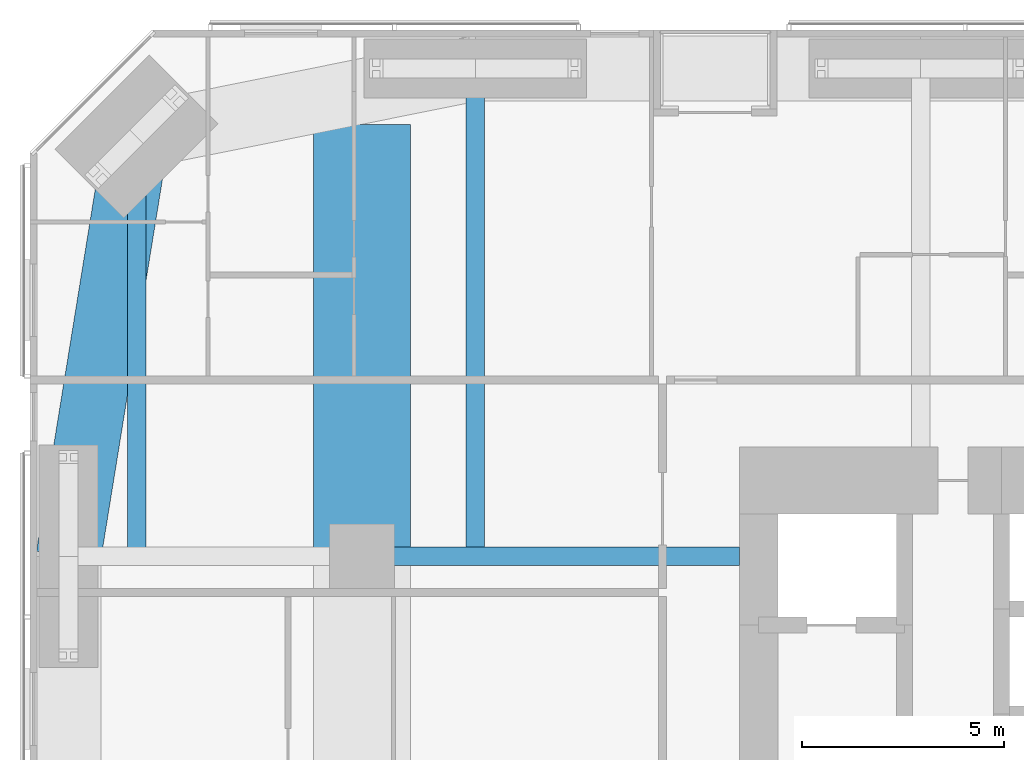
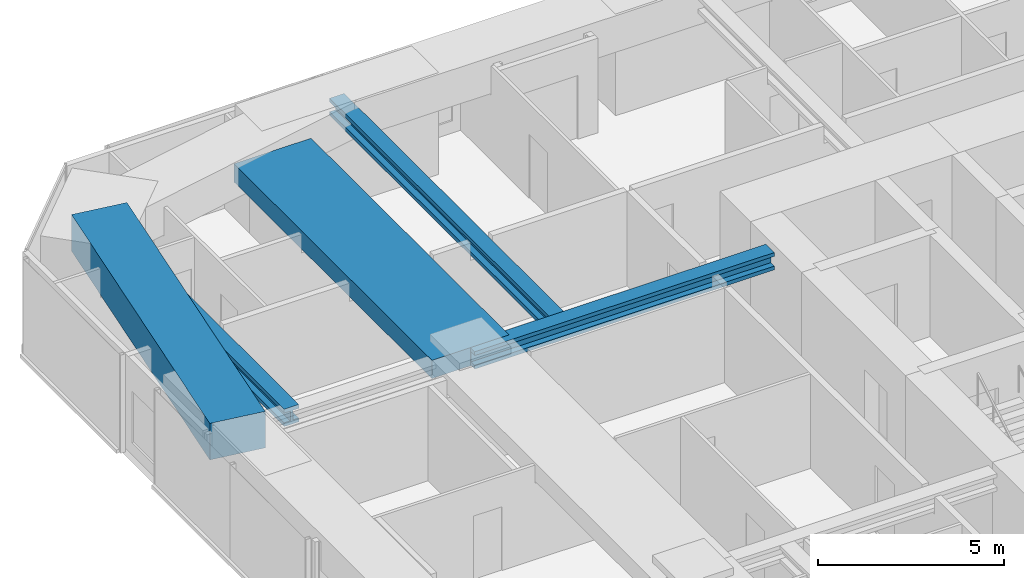
# One storey, part 8 of 24: 5 beams.
"""IFC4 building model written with IfcOpenShell, lengths in metres."""

from ifc_helpers import new_model, si_unit, direction, frame, origin, origin_2d, place, context, subcontext, project, spatial, rectangle, i_section, extrude, material, material_profile, profile_set, type_object, element, save


model = new_model("IFC4")

# Units and contexts
model_context = context("Model", 3, precision=1e-05, world=origin(), true_north=direction((0.0, 1.0)))
body_context = subcontext(model_context, "Body", "Model", "MODEL_VIEW")
ifc_project = project(units=[si_unit("LENGTHUNIT", "METRE"), si_unit("AREAUNIT", "SQUARE_METRE"), si_unit("VOLUMEUNIT", "CUBIC_METRE"), si_unit("PLANEANGLEUNIT", "RADIAN"), si_unit("MASSUNIT", "GRAM", prefix="KILO")], contexts=[model_context])

# Site, building, storey
site_placement = place(None, origin())
site = spatial("IfcSite", under=ifc_project, at=site_placement, CompositionType="ELEMENT")
building_placement = place(site_placement, origin())
building = spatial("IfcBuilding", under=site, at=building_placement, Name="Jalousie Tower", CompositionType="ELEMENT")
storey_placement = place(building_placement, frame((0.0, 0.0, 54.5)))
storey = spatial("IfcBuildingStorey", under=building, at=storey_placement, Name="L14", CompositionType="ELEMENT", Elevation=54.5)

# Beams
ifc_material_1 = material(Name="Steel ASTM A992 Grade 50", Category="steel")
ifc_material_profile_1 = material_profile(ifc_material_1, i_section(OverallWidth=0.45458984375, OverallDepth=0.569091796875, WebThickness=0.077880859375, FlangeThickness=0.124755859375, at=origin_2d()), Name="W14X730")
ifc_profile_set_1 = profile_set([ifc_material_profile_1], Name="Steel ASTM A992 Grade 50")
beam_type_1 = type_object("IfcBeamType", Name="LEAN COLLECTOR W14X730", PredefinedType="BEAM", material=ifc_profile_set_1)
beam_1_placement = place(storey_placement, frame((10.199951171875, 25.0, 2.825439453125), z_axis=(1.0, 0.0, 0.0), x_axis=(0.0, 1.0, 0.0)))
element("IfcBeam", 1, at=beam_1_placement, inside=storey, type_object=beam_type_1, Name="Lean collector under L15", PredefinedType="BEAM", context=body_context, shape_type="SweptSolid", body=[
    extrude(i_section(OverallWidth=0.45458984375, OverallDepth=0.569091796875, WebThickness=0.077880859375, FlangeThickness=0.124755859375, at=origin_2d()), origin(), (0.0, 0.0, 1.0), 9.324951171875),
])
beam_2_placement = place(storey_placement, frame((4.63134765625, 35.36865234375, 2.825439453125), z_axis=(0.0, -1.0, 0.0), x_axis=(1.0, 0.0, 0.0)))
element("IfcBeam", 2, at=beam_2_placement, inside=storey, type_object=beam_type_1, Name="Lean collector under L15", PredefinedType="BEAM", context=body_context, shape_type="SweptSolid", body=[
    extrude(i_section(OverallWidth=0.45458984375, OverallDepth=0.569091796875, WebThickness=0.077880859375, FlangeThickness=0.124755859375, at=origin_2d()), origin(), (0.0, 0.0, 1.0), 10.36865234375),
])
beam_3_placement = place(storey_placement, frame((13.0, 37.050048828125, 2.825439453125), z_axis=(0.0, -1.0, 0.0), x_axis=(1.0, 0.0, 0.0)))
element("IfcBeam", 3, at=beam_3_placement, inside=storey, type_object=beam_type_1, Name="Lean collector under L15", PredefinedType="BEAM", context=body_context, shape_type="SweptSolid", body=[
    extrude(i_section(OverallWidth=0.45458984375, OverallDepth=0.569091796875, WebThickness=0.077880859375, FlangeThickness=0.124755859375, at=origin_2d()), origin(), (0.0, 0.0, 1.0), 12.050048828125),
])
ifc_material_2 = material(Name="Concrete f'c 40 MPa", Category="concrete")
ifc_material_profile_2 = material_profile(ifc_material_2, rectangle(XDim=1.60009765625, YDim=1.199951171875, at=origin_2d()), Name="RC 1600x1200")
ifc_profile_set_2 = profile_set([ifc_material_profile_2], Name="Concrete f'c 40 MPa")
beam_type_2 = type_object("IfcBeamType", Name="RC BEAM 1600x1200", PredefinedType="BEAM", material=ifc_profile_set_2)
beam_4_placement = place(storey_placement, frame((4.63134765625, 35.36865234375, 2.75), z_axis=(-0.160070546476, -0.987105577003, 0.0), x_axis=(0.987105577003, -0.160070546476, 0.0)))
element("IfcBeam", 4, at=beam_4_placement, inside=storey, type_object=beam_type_2, Name="Edge band beam 12-13 under L15", PredefinedType="BEAM", context=body_context, shape_type="SweptSolid", body=[
    extrude(rectangle(XDim=1.60009765625, YDim=1.199951171875, at=origin_2d()), origin(), (0.0, 0.0, 1.0), 10.504150390625),
])
ifc_material_3 = material(Name="Concrete f'c 40 MPa", Category="concrete")
ifc_material_profile_3 = material_profile(ifc_material_3, rectangle(XDim=2.39990234375, YDim=0.60009765625, at=origin_2d()), Name="RC 2400x600")
ifc_profile_set_3 = profile_set([ifc_material_profile_3], Name="Concrete f'c 40 MPa")
beam_type_3 = type_object("IfcBeamType", Name="RC BEAM 2400x600", PredefinedType="BEAM", material=ifc_profile_set_3)
beam_5_placement = place(storey_placement, frame((10.199951171875, 25.0, 2.81005859375), z_axis=(0.0, 1.0, 0.0), x_axis=(-1.0, 0.0, 0.0)))
element("IfcBeam", 5, at=beam_5_placement, inside=storey, type_object=beam_type_3, Name="Floor band beam under L15", PredefinedType="BEAM", context=body_context, shape_type="SweptSolid", body=[
    extrude(rectangle(XDim=2.39990234375, YDim=0.60009765625, at=origin_2d()), origin(), (0.0, 0.0, 1.0), 10.67138671875),
])

save(model, "model.ifc")
